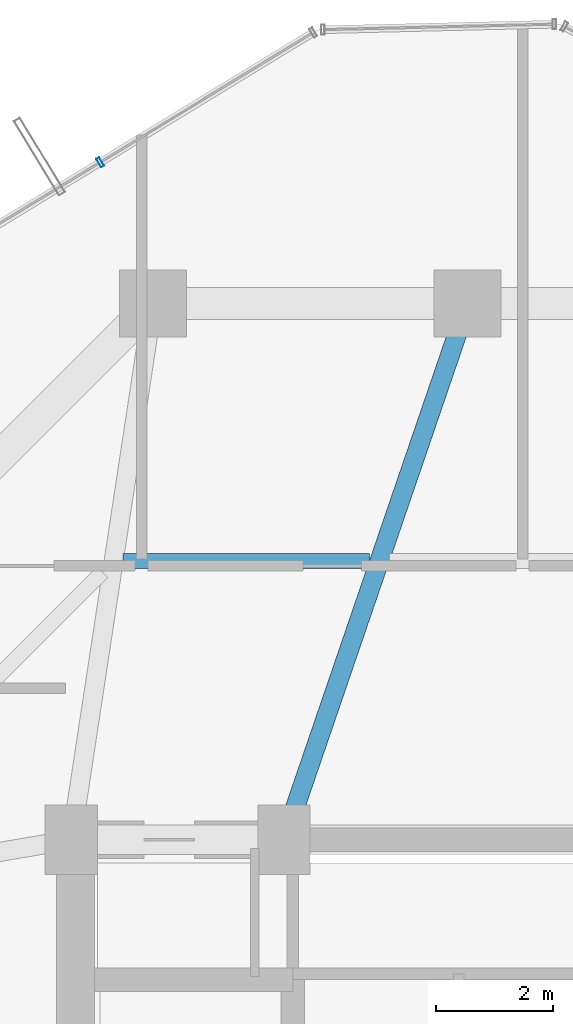
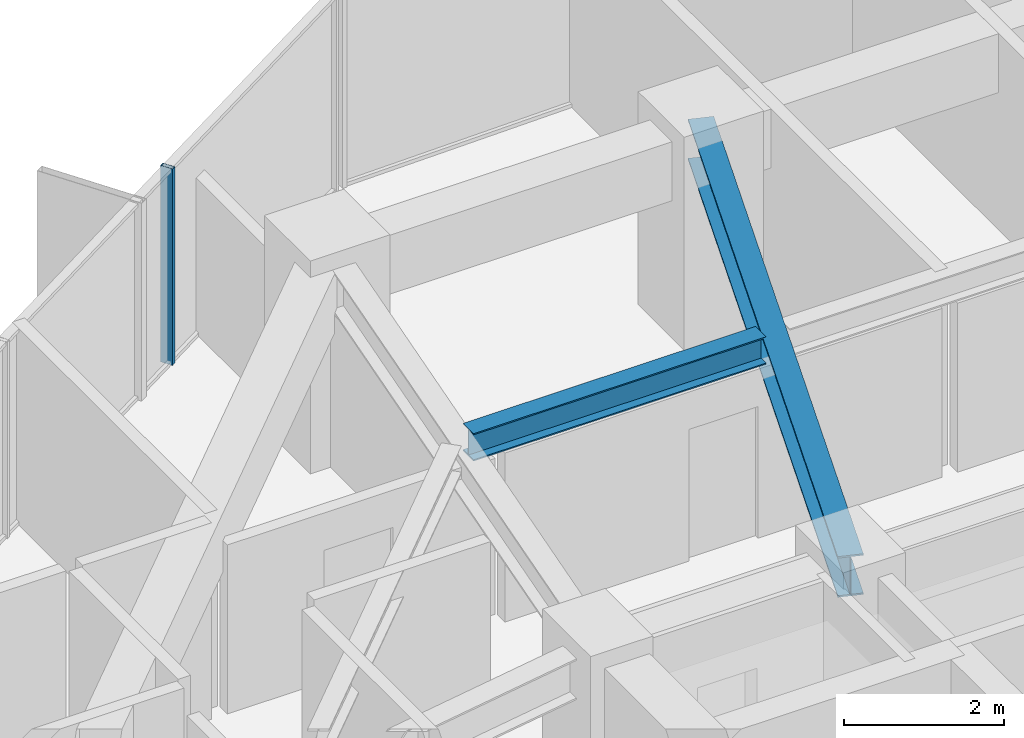
# One storey, part 19 of 31: 2 beams, 1 member, 1 element without a shape of its own.
"""IFC4 building model written with IfcOpenShell, lengths in metres."""

import ifcopenshell
import ifcopenshell.guid

model = None  # the IFC model being written
_history = None  # IfcOwnerHistory: only IFC2X3 demands one
_inside = {}  # id of a spatial element -> (the spatial element, [elements in it])
_under = {}  # id of a project, library or spatial element -> (it, [spatial elements below it])
_declared = {}  # id of a project -> (the project, [libraries it declares])
_typed = {}  # id of a type object -> (the type object, [elements of that type])
_made_of = {}  # id of a material, layer set ... -> (it, [elements and type objects made of it])


def new_model(schema):
    """Start an empty IFC model of exactly this schema.

    Asked for "IFC4X3", IfcOpenShell would pick the latest addendum, in which some entities
    have other attributes; the version numbers below select the first issue.
    IFC2X3 requires an IfcOwnerHistory on every rooted entity: one is made here for all.
    """
    global model, _history
    if schema == "IFC4X3":
        model = ifcopenshell.file(schema_version=(4, 3, 0, 0))
    else:
        model = ifcopenshell.file(schema=schema)
    _inside.clear()
    _under.clear()
    _declared.clear()
    _typed.clear()
    _made_of.clear()
    _history = None
    if model.schema == "IFC2X3":
        org = make("IfcOrganization", Name="unknown")
        user = make(
            "IfcPersonAndOrganization",
            ThePerson=make("IfcPerson", FamilyName="unknown"),
            TheOrganization=org,
        )
        app = make(
            "IfcApplication",
            ApplicationDeveloper=org,
            Version="unknown",
            ApplicationFullName="unknown",
            ApplicationIdentifier="unknown",
        )
        _history = make(
            "IfcOwnerHistory",
            OwningUser=user,
            OwningApplication=app,
            ChangeAction="ADDED",
            CreationDate=0,
        )
    return model


def make(cls, **values):
    """One entity of the class cls with the attributes given. An attribute that is None is left unset."""
    return model.create_entity(
        cls, **{name: value for name, value in values.items() if value is not None}
    )


def rooted(cls, **values):
    """An entity with a GlobalId (a new one), such as an element, a storey or a relation."""
    return make(cls, GlobalId=ifcopenshell.guid.new(), OwnerHistory=_history, **values)


def si_unit(unit_type, name, prefix=None):
    """IfcSIUnit, for example si_unit("LENGTHUNIT", "METRE", prefix="MILLI")."""
    return make("IfcSIUnit", UnitType=unit_type, Prefix=prefix, Name=name)


def assignment(units):
    """IfcUnitAssignment: the units of a project."""
    return None if units is None else make("IfcUnitAssignment", Units=units)


def point(xyz):
    """IfcCartesianPoint."""
    return None if xyz is None else make("IfcCartesianPoint", Coordinates=xyz)


def direction(xyz):
    """IfcDirection."""
    return None if xyz is None else make("IfcDirection", DirectionRatios=xyz)


def frame(location, z_axis=None, x_axis=None):
    """IfcAxis2Placement3D, a coordinate frame: its origin and axes. An axis left out is left unset."""
    return make(
        "IfcAxis2Placement3D",
        Location=point(location),
        Axis=direction(z_axis),
        RefDirection=direction(x_axis),
    )


def frame_2d(location, x_axis=None):
    """IfcAxis2Placement2D, a coordinate frame in the plane: its origin and x axis."""
    return make(
        "IfcAxis2Placement2D", Location=point(location), RefDirection=direction(x_axis)
    )


def origin():
    """The frame at (0, 0, 0) with its axes left unset."""
    return frame((0.0, 0.0, 0.0))


def origin_2d():
    """The frame at (0, 0) in the plane with its x axis left unset."""
    return frame_2d((0.0, 0.0))


def place(relative_to, where):
    """IfcLocalPlacement: puts the frame where relative to a parent placement (None: the world)."""
    return make(
        "IfcLocalPlacement", PlacementRelTo=relative_to, RelativePlacement=where
    )


def context(
    kind, dimensions, precision=None, world=None, true_north=None, identifier=None
):
    """IfcGeometricRepresentationContext, for example the 3D "Model" context."""
    return make(
        "IfcGeometricRepresentationContext",
        ContextIdentifier=identifier,
        ContextType=kind,
        CoordinateSpaceDimension=dimensions,
        Precision=precision,
        WorldCoordinateSystem=world,
        TrueNorth=true_north,
    )


def subcontext(parent, identifier, kind, view, scale=None):
    """IfcGeometricRepresentationSubContext, for example "Body" below "Model"."""
    return make(
        "IfcGeometricRepresentationSubContext",
        ContextIdentifier=identifier,
        ContextType=kind,
        ParentContext=parent,
        TargetScale=scale,
        TargetView=view,
    )


def project(units=None, contexts=None):
    """IfcProject with its units and contexts."""
    return rooted(
        "IfcProject",
        Name="project",
        RepresentationContexts=contexts,
        UnitsInContext=assignment(units),
    )


def spatial(cls, under=None, at=None, **own):
    """A site, building, storey or space (cls), placed at a placement, below another one or the project."""
    s = rooted(cls, ObjectPlacement=at, **own)
    if under is not None:
        _under.setdefault(under.id(), (under, []))[1].append(s)
    return s


def profile(cls, at=None, kind="AREA", **sizes):
    """A parametric profile (cls). Its sizes go by their IFC names, for example OverallWidth=200.0."""
    return make(cls, ProfileType=kind, Position=at, **sizes)


def hollow_rectangle(**sizes):
    """IfcRectangleHollowProfileDef."""
    return profile("IfcRectangleHollowProfileDef", **sizes)


def i_section(**sizes):
    """IfcIShapeProfileDef."""
    return profile("IfcIShapeProfileDef", **sizes)


def extrude(swept, where, along, depth):
    """IfcExtrudedAreaSolid: the profile swept, set in the frame where, extruded along a direction by depth."""
    return make(
        "IfcExtrudedAreaSolid",
        SweptArea=swept,
        Position=where,
        ExtrudedDirection=direction(along),
        Depth=depth,
    )


def shape(context_of_items, identifier, shape_type, items):
    """IfcShapeRepresentation: the items that make up one representation, for example the "Body"."""
    return make(
        "IfcShapeRepresentation",
        ContextOfItems=context_of_items,
        RepresentationIdentifier=identifier,
        RepresentationType=shape_type,
        Items=items,
    )


def source(mapping_origin, context_of_items, identifier, shape_type, items):
    """IfcRepresentationMap: a shape defined once, which mapped items show again and again."""
    return make(
        "IfcRepresentationMap",
        MappingOrigin=mapping_origin,
        MappedRepresentation=shape(context_of_items, identifier, shape_type, items),
    )


def transform(
    local_origin,
    x_axis=None,
    y_axis=None,
    z_axis=None,
    scale=None,
    scale2=None,
    scale3=None,
    uniform=True,
):
    """IfcCartesianTransformationOperator3D, or its non-uniform kind. x_axis, y_axis, z_axis: its Axis1, 2, 3."""
    if uniform:
        return make(
            "IfcCartesianTransformationOperator3D",
            Axis1=direction(x_axis),
            Axis2=direction(y_axis),
            LocalOrigin=point(local_origin),
            Scale=scale,
            Axis3=direction(z_axis),
        )
    return make(
        "IfcCartesianTransformationOperator3DnonUniform",
        Axis1=direction(x_axis),
        Axis2=direction(y_axis),
        LocalOrigin=point(local_origin),
        Scale=scale,
        Axis3=direction(z_axis),
        Scale2=scale2,
        Scale3=scale3,
    )


def mapped(mapping_source, mapping_target):
    """IfcMappedItem: shows the shape of a source again, moved by a transform."""
    return make(
        "IfcMappedItem", MappingSource=mapping_source, MappingTarget=mapping_target
    )


def material(Name=None, Category=None):
    """IfcMaterial."""
    return make("IfcMaterial", Name=Name, Category=Category)


def layer(
    of_material, thickness, ventilated=None, Name=None, Category=None, Priority=None
):
    """IfcMaterialLayer: one layer of a wall or slab, of a material (None: an air gap)."""
    return make(
        "IfcMaterialLayer",
        Material=of_material,
        LayerThickness=thickness,
        IsVentilated=ventilated,
        Name=Name,
        Category=Category,
        Priority=Priority,
    )


def layer_set(layers, Name=None):
    """IfcMaterialLayerSet."""
    return make("IfcMaterialLayerSet", MaterialLayers=layers, LayerSetName=Name)


def material_profile(
    of_material, cross_section, Name=None, Category=None, Priority=None
):
    """IfcMaterialProfile: a cross section and its material."""
    return make(
        "IfcMaterialProfile",
        Name=Name,
        Material=of_material,
        Profile=cross_section,
        Priority=Priority,
        Category=Category,
    )


def profile_set(profiles, Name=None, composite=None):
    """IfcMaterialProfileSet."""
    return make(
        "IfcMaterialProfileSet",
        Name=Name,
        MaterialProfiles=profiles,
        CompositeProfile=composite,
    )


def made_of(thing, what):
    """Note that an element or type object is made of a material, layer set ...; save() writes the relation."""
    if what is not None:
        _made_of.setdefault(what.id(), (what, []))[1].append(thing)
    return thing


def type_object(cls, material=None, **own):
    """A type object (cls), such as IfcWallType, which elements share."""
    return made_of(rooted(cls, **own), material)


def element(
    cls,
    number,
    at=None,
    inside=None,
    cuts=None,
    type_object=None,
    material=None,
    context=None,
    identifier="Body",
    shape_type=None,
    held_by="IfcProductDefinitionShape",
    body=None,
    shapes=None,
    **own,
):
    """One element of the class cls, such as IfcWall. Its Tag is "e" and its number.

    at: its placement. inside: the storey or other place that contains it. cuts: it is an
    opening in that element (IfcRelVoidsElement). A single representation is given by context,
    identifier, shape_type and body (its items); several are given by shapes. held_by: the class
    of the entity that holds the representations. save() writes the other relations.
    """
    e = rooted(cls, Tag="e%d" % number, ObjectPlacement=at, **own)
    if body is not None:
        shapes = [shape(context, identifier, shape_type, body)]
    if shapes is not None:
        e.Representation = make(held_by, Representations=shapes)
    if inside is not None:
        _inside.setdefault(inside.id(), (inside, []))[1].append(e)
    if cuts is not None:
        rooted(
            "IfcRelVoidsElement", RelatingBuildingElement=cuts, RelatedOpeningElement=e
        )
    if type_object is not None:
        _typed.setdefault(type_object.id(), (type_object, []))[1].append(e)
    return made_of(e, material)


def aggregate(whole, parts):
    """IfcRelAggregates: a whole, such as a stair, and the parts it consists of."""
    return rooted("IfcRelAggregates", RelatingObject=whole, RelatedObjects=parts)


def save(model, path):
    """Write the relations noted so far, then the file.

    IfcRelAggregates (storeys below a building ...), IfcRelContainedInSpatialStructure (elements
    in a storey), IfcRelDefinesByType, IfcRelAssociatesMaterial and IfcRelDeclares: one each for
    every whole, place, type object, material and project.
    """
    for whole, parts in _under.values():
        aggregate(whole, parts)
    for where, things in _inside.values():
        rooted(
            "IfcRelContainedInSpatialStructure",
            RelatedElements=things,
            RelatingStructure=where,
        )
    for kind, things in _typed.values():
        rooted("IfcRelDefinesByType", RelatedObjects=things, RelatingType=kind)
    for what, things in _made_of.values():
        rooted("IfcRelAssociatesMaterial", RelatedObjects=things, RelatingMaterial=what)
    for by, libraries in _declared.values():
        rooted("IfcRelDeclares", RelatingContext=by, RelatedDefinitions=libraries)
    model.write(path)


model = new_model("IFC4")

# Units and contexts
model_context = context("Model", 3, precision=1e-05, world=origin(), true_north=direction((0.0, 1.0)))
body_context = subcontext(model_context, "Body", "Model", "MODEL_VIEW")
ifc_project = project(units=[si_unit("LENGTHUNIT", "METRE"), si_unit("AREAUNIT", "SQUARE_METRE"), si_unit("VOLUMEUNIT", "CUBIC_METRE"), si_unit("PLANEANGLEUNIT", "RADIAN"), si_unit("MASSUNIT", "GRAM", prefix="KILO")], contexts=[model_context])

# Site, building, storey
site_placement = place(None, origin())
site = spatial("IfcSite", under=ifc_project, at=site_placement, CompositionType="ELEMENT")
building_placement = place(site_placement, origin())
building = spatial("IfcBuilding", under=site, at=building_placement, Name="Veraguas Prism Commons", CompositionType="ELEMENT")
storey_placement = place(building_placement, frame((0.0, 0.0, 132.75)))
storey = spatial("IfcBuildingStorey", under=building, at=storey_placement, Name="L37", CompositionType="ELEMENT", Elevation=132.75)

# Beams
ifc_material_1 = material(Name="Steel ASTM A992 Grade 50", Category="steel")
ifc_material_profile_1 = material_profile(ifc_material_1, i_section(OverallWidth=0.260986328125, OverallDepth=0.419921875, WebThickness=0.01171875, FlangeThickness=0.019287109375, at=origin_2d()), Name="W410X114")
ifc_profile_set_1 = profile_set([ifc_material_profile_1], Name="Steel ASTM A992 Grade 50")
beam_type_1 = type_object("IfcBeamType", Name="Lower Floor Joist W410x114", PredefinedType="JOIST", material=ifc_profile_set_1)
beam_1_placement = place(storey_placement, frame((22.31689453125, 35.783935546875, 2.7900390625), z_axis=(-1.0, 0.0, 0.0), x_axis=(0.0, -1.0, 0.0)))
element("IfcBeam", 1, at=beam_1_placement, inside=storey, type_object=beam_type_1, Name="Composite Floor Joist L37-JS05", PredefinedType="JOIST", context=body_context, shape_type="SweptSolid", body=[
    extrude(i_section(OverallWidth=0.260986328125, OverallDepth=0.419921875, WebThickness=0.01171875, FlangeThickness=0.019287109375, at=origin_2d()), origin(), (0.0, 0.0, 1.0), 4.22509765625),
])
ifc_material_profile_2 = material_profile(ifc_material_1, i_section(OverallWidth=0.327880859375, OverallDepth=0.6220703125, WebThickness=0.015380859375, FlangeThickness=0.0244140625, at=origin_2d()), Name="W610X195")
ifc_profile_set_2 = profile_set([ifc_material_profile_2], Name="Steel ASTM A992 Grade 50")
beam_type_2 = type_object("IfcBeamType", Name="Zone 2 Radial Girder W610x195", PredefinedType="BEAM", material=ifc_profile_set_2)
beam_2_placement = place(storey_placement, frame((24.0, 40.199951171875, 2.68896484375), z_axis=(-0.323922482989, -0.946083624747, 0.0), x_axis=(0.946083624747, -0.323922482989, 0.0)))
element("IfcBeam", 2, at=beam_2_placement, inside=storey, type_object=beam_type_2, Name="Radial Floor Girder L37-RD05", PredefinedType="BEAM", context=body_context, shape_type="SweptSolid", body=[
    extrude(i_section(OverallWidth=0.327880859375, OverallDepth=0.6220703125, WebThickness=0.015380859375, FlangeThickness=0.0244140625, at=origin_2d()), origin(), (0.0, 0.0, 1.0), 9.724365234375),
])

# Curtain wall, member
ifc_material_2 = material(Name="Anodised aluminium EN AW-6063 T6", Category="aluminium")
ifc_layer = layer(ifc_material_2, 0.169921875, Name="Unitised Flush Curtain Wall Zone 2", Category="aluminium")
ifc_layer_set = layer_set([ifc_layer], Name="Anodised aluminium EN AW-6063 T6")
curtain_wall_type = type_object("IfcCurtainWallType", Name="Unitised Flush Curtain Wall Zone 2", PredefinedType="NOTDEFINED", material=ifc_layer_set)
curtain_wall_placement = place(storey_placement, origin())
curtain_wall = element("IfcCurtainWall", 3, at=curtain_wall_placement, inside=storey, type_object=curtain_wall_type, Name="Tower Facade Curtain Wall L37-F2", PredefinedType="NOTDEFINED")
ifc_material_profile_3 = material_profile(ifc_material_2, hollow_rectangle(XDim=0.06005859375, YDim=0.169921875, WallThickness=0.00390625, at=origin_2d()), Name="AL60X170X4")
ifc_profile_set_3 = profile_set([ifc_material_profile_3], Name="Anodised aluminium EN AW-6063 T6")
member_type = type_object("IfcMemberType", Name="Curtain Wall Mullion Lower AL 60x170x4", PredefinedType="MULLION", material=ifc_profile_set_3)
shared_shape = source(origin(), body_context, "Body", "SweptSolid", [
    extrude(hollow_rectangle(XDim=0.06005859375, YDim=0.169921875, WallThickness=0.00390625, at=origin_2d()), origin(), (0.0, 0.0, 1.0), 3.0),
])
member_placement = place(storey_placement, frame((17.6962890625, 42.62255859375, 0.0), z_axis=(0.0, 0.0, 1.0), x_axis=(-0.853916139162, -0.520410633326, 0.0)))
member = element("IfcMember", 4, at=member_placement, type_object=member_type, Name="CW-Z2 Mullion 2", PredefinedType="MULLION", context=body_context, shape_type="MappedRepresentation", body=[
    mapped(shared_shape, transform((0.0, 0.0, 0.0), scale=1.0)),
])
aggregate(curtain_wall, [member])

save(model, "model.ifc")
